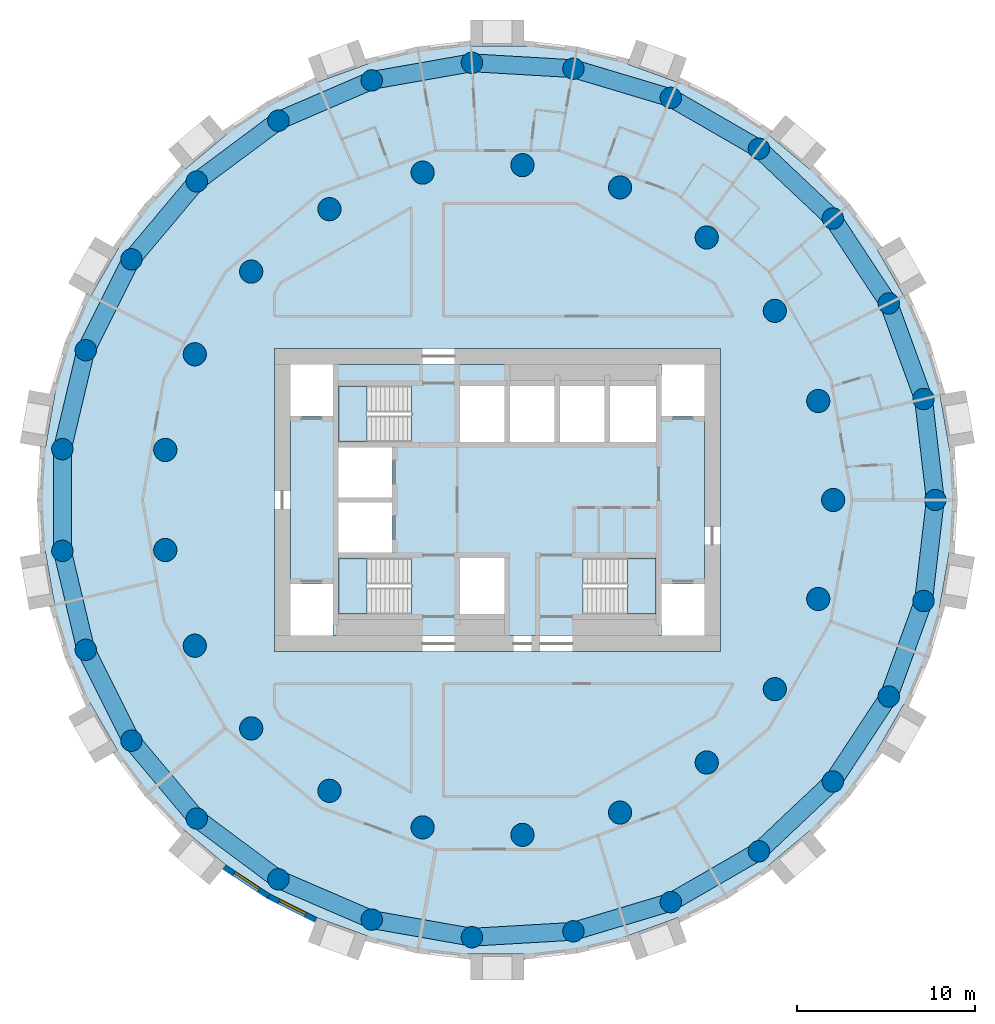
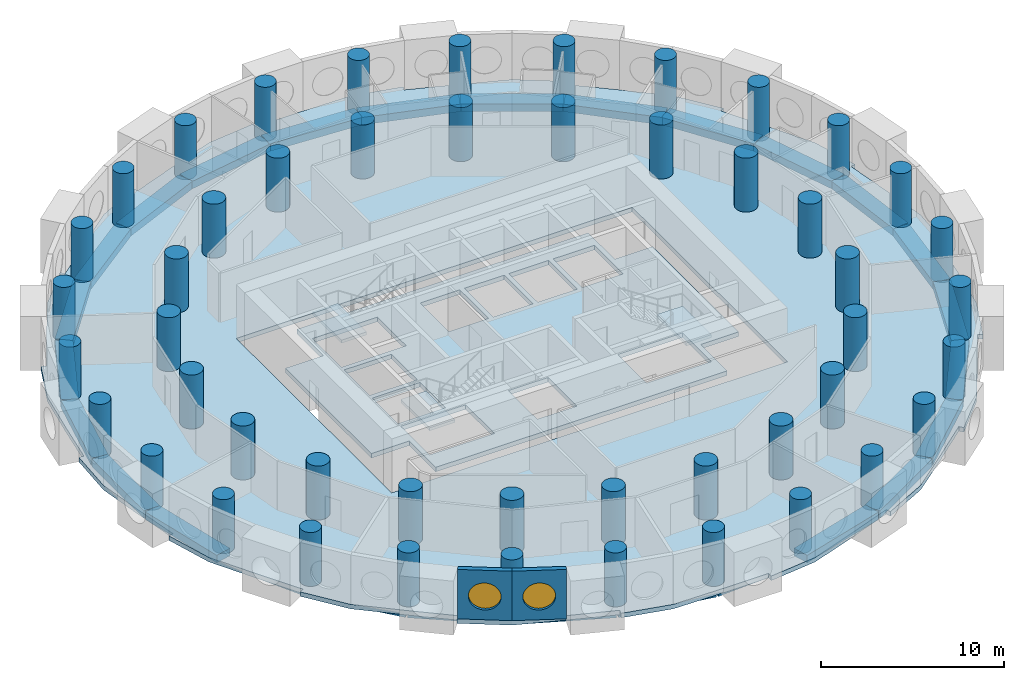
# One storey, part 1 of 9: 48 columns, 27 beams, 5 slabs, 2 walls, 2 windows, 2 openings, 3 elements without a shape of their own.
"""IFC4 building model written with IfcOpenShell, lengths in metres."""

import ifcopenshell
import ifcopenshell.guid

model = None  # the IFC model being written
_history = None  # IfcOwnerHistory: only IFC2X3 demands one
_inside = {}  # id of a spatial element -> (the spatial element, [elements in it])
_under = {}  # id of a project, library or spatial element -> (it, [spatial elements below it])
_declared = {}  # id of a project -> (the project, [libraries it declares])
_typed = {}  # id of a type object -> (the type object, [elements of that type])
_made_of = {}  # id of a material, layer set ... -> (it, [elements and type objects made of it])


def new_model(schema):
    """Start an empty IFC model of exactly this schema.

    Asked for "IFC4X3", IfcOpenShell would pick the latest addendum, in which some entities
    have other attributes; the version numbers below select the first issue.
    IFC2X3 requires an IfcOwnerHistory on every rooted entity: one is made here for all.
    """
    global model, _history
    if schema == "IFC4X3":
        model = ifcopenshell.file(schema_version=(4, 3, 0, 0))
    else:
        model = ifcopenshell.file(schema=schema)
    _inside.clear()
    _under.clear()
    _declared.clear()
    _typed.clear()
    _made_of.clear()
    _history = None
    if model.schema == "IFC2X3":
        org = make("IfcOrganization", Name="unknown")
        user = make(
            "IfcPersonAndOrganization",
            ThePerson=make("IfcPerson", FamilyName="unknown"),
            TheOrganization=org,
        )
        app = make(
            "IfcApplication",
            ApplicationDeveloper=org,
            Version="unknown",
            ApplicationFullName="unknown",
            ApplicationIdentifier="unknown",
        )
        _history = make(
            "IfcOwnerHistory",
            OwningUser=user,
            OwningApplication=app,
            ChangeAction="ADDED",
            CreationDate=0,
        )
    return model


def make(cls, **values):
    """One entity of the class cls with the attributes given. An attribute that is None is left unset."""
    return model.create_entity(
        cls, **{name: value for name, value in values.items() if value is not None}
    )


def rooted(cls, **values):
    """An entity with a GlobalId (a new one), such as an element, a storey or a relation."""
    return make(cls, GlobalId=ifcopenshell.guid.new(), OwnerHistory=_history, **values)


def si_unit(unit_type, name, prefix=None):
    """IfcSIUnit, for example si_unit("LENGTHUNIT", "METRE", prefix="MILLI")."""
    return make("IfcSIUnit", UnitType=unit_type, Prefix=prefix, Name=name)


def assignment(units):
    """IfcUnitAssignment: the units of a project."""
    return None if units is None else make("IfcUnitAssignment", Units=units)


def point(xyz):
    """IfcCartesianPoint."""
    return None if xyz is None else make("IfcCartesianPoint", Coordinates=xyz)


def direction(xyz):
    """IfcDirection."""
    return None if xyz is None else make("IfcDirection", DirectionRatios=xyz)


def frame(location, z_axis=None, x_axis=None):
    """IfcAxis2Placement3D, a coordinate frame: its origin and axes. An axis left out is left unset."""
    return make(
        "IfcAxis2Placement3D",
        Location=point(location),
        Axis=direction(z_axis),
        RefDirection=direction(x_axis),
    )


def frame_2d(location, x_axis=None):
    """IfcAxis2Placement2D, a coordinate frame in the plane: its origin and x axis."""
    return make(
        "IfcAxis2Placement2D", Location=point(location), RefDirection=direction(x_axis)
    )


def origin():
    """The frame at (0, 0, 0) with its axes left unset."""
    return frame((0.0, 0.0, 0.0))


def origin_2d():
    """The frame at (0, 0) in the plane with its x axis left unset."""
    return frame_2d((0.0, 0.0))


def place(relative_to, where):
    """IfcLocalPlacement: puts the frame where relative to a parent placement (None: the world)."""
    return make(
        "IfcLocalPlacement", PlacementRelTo=relative_to, RelativePlacement=where
    )


def context(
    kind, dimensions, precision=None, world=None, true_north=None, identifier=None
):
    """IfcGeometricRepresentationContext, for example the 3D "Model" context."""
    return make(
        "IfcGeometricRepresentationContext",
        ContextIdentifier=identifier,
        ContextType=kind,
        CoordinateSpaceDimension=dimensions,
        Precision=precision,
        WorldCoordinateSystem=world,
        TrueNorth=true_north,
    )


def subcontext(parent, identifier, kind, view, scale=None):
    """IfcGeometricRepresentationSubContext, for example "Body" below "Model"."""
    return make(
        "IfcGeometricRepresentationSubContext",
        ContextIdentifier=identifier,
        ContextType=kind,
        ParentContext=parent,
        TargetScale=scale,
        TargetView=view,
    )


def project(units=None, contexts=None):
    """IfcProject with its units and contexts."""
    return rooted(
        "IfcProject",
        Name="project",
        RepresentationContexts=contexts,
        UnitsInContext=assignment(units),
    )


def spatial(cls, under=None, at=None, **own):
    """A site, building, storey or space (cls), placed at a placement, below another one or the project."""
    s = rooted(cls, ObjectPlacement=at, **own)
    if under is not None:
        _under.setdefault(under.id(), (under, []))[1].append(s)
    return s


def polyline(points):
    """IfcPolyline through the points."""
    return make("IfcPolyline", Points=[point(p) for p in points])


def profile(cls, at=None, kind="AREA", **sizes):
    """A parametric profile (cls). Its sizes go by their IFC names, for example OverallWidth=200.0."""
    return make(cls, ProfileType=kind, Position=at, **sizes)


def rectangle(**sizes):
    """IfcRectangleProfileDef."""
    return profile("IfcRectangleProfileDef", **sizes)


def circle(**sizes):
    """IfcCircleProfileDef."""
    return profile("IfcCircleProfileDef", **sizes)


def outline(outer, holes=None, kind="AREA"):
    """IfcArbitraryClosedProfileDef: a profile drawn as a closed curve; with holes, ...WithVoids."""
    if holes is None:
        return make("IfcArbitraryClosedProfileDef", ProfileType=kind, OuterCurve=outer)
    return make(
        "IfcArbitraryProfileDefWithVoids",
        ProfileType=kind,
        OuterCurve=outer,
        InnerCurves=holes,
    )


def extrude(swept, where, along, depth):
    """IfcExtrudedAreaSolid: the profile swept, set in the frame where, extruded along a direction by depth."""
    return make(
        "IfcExtrudedAreaSolid",
        SweptArea=swept,
        Position=where,
        ExtrudedDirection=direction(along),
        Depth=depth,
    )


def shape(context_of_items, identifier, shape_type, items):
    """IfcShapeRepresentation: the items that make up one representation, for example the "Body"."""
    return make(
        "IfcShapeRepresentation",
        ContextOfItems=context_of_items,
        RepresentationIdentifier=identifier,
        RepresentationType=shape_type,
        Items=items,
    )


def material(Name=None, Category=None):
    """IfcMaterial."""
    return make("IfcMaterial", Name=Name, Category=Category)


def layer(
    of_material, thickness, ventilated=None, Name=None, Category=None, Priority=None
):
    """IfcMaterialLayer: one layer of a wall or slab, of a material (None: an air gap)."""
    return make(
        "IfcMaterialLayer",
        Material=of_material,
        LayerThickness=thickness,
        IsVentilated=ventilated,
        Name=Name,
        Category=Category,
        Priority=Priority,
    )


def layer_set(layers, Name=None):
    """IfcMaterialLayerSet."""
    return make("IfcMaterialLayerSet", MaterialLayers=layers, LayerSetName=Name)


def material_profile(
    of_material, cross_section, Name=None, Category=None, Priority=None
):
    """IfcMaterialProfile: a cross section and its material."""
    return make(
        "IfcMaterialProfile",
        Name=Name,
        Material=of_material,
        Profile=cross_section,
        Priority=Priority,
        Category=Category,
    )


def profile_set(profiles, Name=None, composite=None):
    """IfcMaterialProfileSet."""
    return make(
        "IfcMaterialProfileSet",
        Name=Name,
        MaterialProfiles=profiles,
        CompositeProfile=composite,
    )


def made_of(thing, what):
    """Note that an element or type object is made of a material, layer set ...; save() writes the relation."""
    if what is not None:
        _made_of.setdefault(what.id(), (what, []))[1].append(thing)
    return thing


def type_object(cls, material=None, **own):
    """A type object (cls), such as IfcWallType, which elements share."""
    return made_of(rooted(cls, **own), material)


def element(
    cls,
    number,
    at=None,
    inside=None,
    cuts=None,
    type_object=None,
    material=None,
    context=None,
    identifier="Body",
    shape_type=None,
    held_by="IfcProductDefinitionShape",
    body=None,
    shapes=None,
    **own,
):
    """One element of the class cls, such as IfcWall. Its Tag is "e" and its number.

    at: its placement. inside: the storey or other place that contains it. cuts: it is an
    opening in that element (IfcRelVoidsElement). A single representation is given by context,
    identifier, shape_type and body (its items); several are given by shapes. held_by: the class
    of the entity that holds the representations. save() writes the other relations.
    """
    e = rooted(cls, Tag="e%d" % number, ObjectPlacement=at, **own)
    if body is not None:
        shapes = [shape(context, identifier, shape_type, body)]
    if shapes is not None:
        e.Representation = make(held_by, Representations=shapes)
    if inside is not None:
        _inside.setdefault(inside.id(), (inside, []))[1].append(e)
    if cuts is not None:
        rooted(
            "IfcRelVoidsElement", RelatingBuildingElement=cuts, RelatedOpeningElement=e
        )
    if type_object is not None:
        _typed.setdefault(type_object.id(), (type_object, []))[1].append(e)
    return made_of(e, material)


def fill(opening, filler):
    """IfcRelFillsElement: the door or window that sits in an opening."""
    return rooted(
        "IfcRelFillsElement",
        RelatingOpeningElement=opening,
        RelatedBuildingElement=filler,
    )


def aggregate(whole, parts):
    """IfcRelAggregates: a whole, such as a stair, and the parts it consists of."""
    return rooted("IfcRelAggregates", RelatingObject=whole, RelatedObjects=parts)


def save(model, path):
    """Write the relations noted so far, then the file.

    IfcRelAggregates (storeys below a building ...), IfcRelContainedInSpatialStructure (elements
    in a storey), IfcRelDefinesByType, IfcRelAssociatesMaterial and IfcRelDeclares: one each for
    every whole, place, type object, material and project.
    """
    for whole, parts in _under.values():
        aggregate(whole, parts)
    for where, things in _inside.values():
        rooted(
            "IfcRelContainedInSpatialStructure",
            RelatedElements=things,
            RelatingStructure=where,
        )
    for kind, things in _typed.values():
        rooted("IfcRelDefinesByType", RelatedObjects=things, RelatingType=kind)
    for what, things in _made_of.values():
        rooted("IfcRelAssociatesMaterial", RelatedObjects=things, RelatingMaterial=what)
    for by, libraries in _declared.values():
        rooted("IfcRelDeclares", RelatingContext=by, RelatedDefinitions=libraries)
    model.write(path)


model = new_model("IFC4")

# Units and contexts
model_context = context("Model", 3, precision=1e-05, world=origin(), true_north=direction((0.0, 1.0)))
body_context = subcontext(model_context, "Body", "Model", "MODEL_VIEW")
ifc_project = project(units=[si_unit("LENGTHUNIT", "METRE"), si_unit("AREAUNIT", "SQUARE_METRE"), si_unit("VOLUMEUNIT", "CUBIC_METRE"), si_unit("PLANEANGLEUNIT", "RADIAN"), si_unit("MASSUNIT", "GRAM", prefix="KILO")], contexts=[model_context])

# Site, building, storey
site_placement = place(None, origin())
site = spatial("IfcSite", under=ifc_project, at=site_placement, CompositionType="ELEMENT")
building_placement = place(site_placement, origin())
building = spatial("IfcBuilding", under=site, at=building_placement, Name="Tracery Tower", CompositionType="ELEMENT")
storey_placement = place(building_placement, frame((0.0, 0.0, 162.0)))
storey = spatial("IfcBuildingStorey", under=building, at=storey_placement, Name="L41", CompositionType="ELEMENT", Elevation=162.0)

# Columns
ifc_material_1 = material(Name="Concrete C50/60", Category="concrete")
ifc_material_profile_1 = material_profile(ifc_material_1, circle(Radius=0.60009765625, at=origin_2d()), Name="RC D1200")
ifc_profile_set_1 = profile_set([ifc_material_profile_1], Name="Concrete C50/60")
column_type_1 = type_object("IfcColumnType", Name="Ring 1 column 1200", PredefinedType="COLUMN", material=ifc_profile_set_1)
for number, where, z_axis, x_axis, name in (
    (1, (24.547607421875, 0.0, 0.0), (0.0, 0.0, 1.0), (1.0, 0.0, 0.0), "Ring 1 column 00 at L41"),
    (2, (23.885986328125, 5.6611328125, 0.0), (0.0, 0.0, 1.0), (1.0, 0.0, 0.0), "Ring 1 column 01 at L41"),
    (3, (21.9365234375, 11.01708984375, 0.0), (0.0, 0.0, 1.0), (1.0, 0.0, 0.0), "Ring 1 column 02 at L41"),
    (4, (18.8046875, 15.779052734375, 0.0), (0.0, 0.0, 1.0), (1.0, 0.0, 0.0), "Ring 1 column 03 at L41"),
    (5, (14.658935546875, 19.690185546875, 0.0), (0.0, 0.0, 1.0), (1.0, 0.0, 0.0), "Ring 1 column 04 at L41"),
    (6, (9.722900390625, 22.5400390625, 0.0), (0.0, 0.0, 1.0), (1.0, 0.0, 0.0), "Ring 1 column 05 at L41"),
    (7, (4.2626953125, 24.1748046875, 0.0), (0.0, 0.0, 1.0), (1.0, 0.0, 0.0), "Ring 1 column 06 at L41"),
    (8, (-1.42724609375, 24.506103515625, 0.0), (0.0, 0.0, 1.0), (1.0, 0.0, 0.0), "Ring 1 column 07 at L41"),
    (9, (-7.040283203125, 23.516357421875, 0.0), (0.0, 0.0, 1.0), (1.0, 0.0, 0.0), "Ring 1 column 08 at L41"),
    (10, (-12.273681640625, 21.2587890625, 0.0), (0.0, 0.0, 1.0), (1.0, 0.0, 0.0), "Ring 1 column 09 at L41"),
    (11, (-16.845703125, 17.855224609375, 0.0), (0.0, 0.0, 1.0), (1.0, 0.0, 0.0), "Ring 1 column 10 at L41"),
    (12, (-20.50927734375, 13.4892578125, 0.0), (0.0, 0.0, 1.0), (1.0, 0.0, 0.0), "Ring 1 column 11 at L41"),
    (13, (-23.0673828125, 8.395751953125, 0.0), (0.0, 0.0, 1.0), (1.0, 0.0, 0.0), "Ring 1 column 12 at L41"),
    (14, (-24.381591796875, 2.849853515625, 0.0), (0.0, 0.0, 1.0), (1.0, 0.0, 0.0), "Ring 1 column 13 at L41"),
    (15, (-24.381591796875, -2.849853515625, 0.0), (0.0, 0.0, 1.0), (1.0, 0.0, 0.0), "Ring 1 column 14 at L41"),
    (16, (-23.0673828125, -8.395751953125, 0.0), (0.0, 0.0, 1.0), (1.0, 0.0, 0.0), "Ring 1 column 15 at L41"),
    (17, (-20.50927734375, -13.4892578125, 0.0), (0.0, 0.0, 1.0), (1.0, 0.0, 0.0), "Ring 1 column 16 at L41"),
    (18, (-16.845703125, -17.85546875, 0.0), (0.0, 0.0, 1.0), (1.0, 0.0, 0.0), "Ring 1 column 17 at L41"),
    (19, (-12.27392578125, -21.2587890625, 0.0), (0.0, 0.0, 1.0), (1.0, 0.0, 0.0), "Ring 1 column 18 at L41"),
    (20, (-7.040283203125, -23.516357421875, 0.0), (0.0, 0.0, 1.0), (1.0, 0.0, 0.0), "Ring 1 column 19 at L41"),
    (21, (-1.42724609375, -24.506103515625, 0.0), (0.0, 0.0, 1.0), (1.0, 0.0, 0.0), "Ring 1 column 20 at L41"),
    (22, (4.2626953125, -24.1748046875, 0.0), (0.0, 0.0, 1.0), (1.0, 0.0, 0.0), "Ring 1 column 21 at L41"),
    (23, (9.722900390625, -22.5400390625, 0.0), (0.0, 0.0, 1.0), (1.0, 0.0, 0.0), "Ring 1 column 22 at L41"),
    (24, (14.658935546875, -19.690185546875, 0.0), (0.0, 0.0, 1.0), (1.0, 0.0, 0.0), "Ring 1 column 23 at L41"),
    (25, (18.8046875, -15.779052734375, 0.0), (0.0, 0.0, 1.0), (1.0, 0.0, 0.0), "Ring 1 column 24 at L41"),
    (26, (21.9365234375, -11.01708984375, 0.0), (0.0, 0.0, 1.0), (1.0, 0.0, 0.0), "Ring 1 column 25 at L41"),
    (27, (23.885986328125, -5.6611328125, 0.0), (0.0, 0.0, 1.0), (1.0, 0.0, 0.0), "Ring 1 column 26 at L41"),
):
    element("IfcColumn", number, at=place(storey_placement, frame(where, z_axis=z_axis, x_axis=x_axis)), inside=storey, type_object=column_type_1, Name=name, PredefinedType="COLUMN", context=body_context, shape_type="SweptSolid", body=[
        extrude(circle(Radius=0.60009765625, at=origin_2d()), origin(), (0.0, 0.0, 1.0), 3.60009765625),
    ])
ifc_material_2 = material(Name="Concrete C50/60", Category="concrete")
ifc_material_profile_2 = material_profile(ifc_material_2, circle(Radius=0.64990234375, at=origin_2d()), Name="RC D1300")
ifc_profile_set_2 = profile_set([ifc_material_profile_2], Name="Concrete C50/60")
column_type_2 = type_object("IfcColumnType", Name="Ring 2 column 1300", PredefinedType="COLUMN", material=ifc_profile_set_2)
for number, where, z_axis, x_axis, name in (
    (28, (18.822265625, 0.0, 0.0), (0.0, 0.0, 1.0), (1.0, 0.0, 0.0), "Ring 2 column 00 at L41"),
    (29, (17.986083984375, 5.5478515625, 0.0), (0.0, 0.0, 1.0), (1.0, 0.0, 0.0), "Ring 2 column 01 at L41"),
    (30, (15.551513671875, 10.602783203125, 0.0), (0.0, 0.0, 1.0), (1.0, 0.0, 0.0), "Ring 2 column 02 at L41"),
    (31, (11.7353515625, 14.7158203125, 0.0), (0.0, 0.0, 1.0), (1.0, 0.0, 0.0), "Ring 2 column 03 at L41"),
    (32, (6.87646484375, 17.52099609375, 0.0), (0.0, 0.0, 1.0), (1.0, 0.0, 0.0), "Ring 2 column 04 at L41"),
    (33, (1.406494140625, 18.76953125, 0.0), (0.0, 0.0, 1.0), (1.0, 0.0, 0.0), "Ring 2 column 05 at L41"),
    (34, (-4.188232421875, 18.350341796875, 0.0), (0.0, 0.0, 1.0), (1.0, 0.0, 0.0), "Ring 2 column 06 at L41"),
    (35, (-9.4111328125, 16.300537109375, 0.0), (0.0, 0.0, 1.0), (1.0, 0.0, 0.0), "Ring 2 column 07 at L41"),
    (36, (-13.797607421875, 12.802490234375, 0.0), (0.0, 0.0, 1.0), (1.0, 0.0, 0.0), "Ring 2 column 08 at L41"),
    (37, (-16.958251953125, 8.16650390625, 0.0), (0.0, 0.0, 1.0), (1.0, 0.0, 0.0), "Ring 2 column 09 at L41"),
    (38, (-18.612060546875, 2.805419921875, 0.0), (0.0, 0.0, 1.0), (1.0, 0.0, 0.0), "Ring 2 column 10 at L41"),
    (39, (-18.612060546875, -2.805419921875, 0.0), (0.0, 0.0, 1.0), (1.0, 0.0, 0.0), "Ring 2 column 11 at L41"),
    (40, (-16.958251953125, -8.166748046875, 0.0), (0.0, 0.0, 1.0), (1.0, 0.0, 0.0), "Ring 2 column 12 at L41"),
    (41, (-13.797607421875, -12.80224609375, 0.0), (0.0, 0.0, 1.0), (1.0, 0.0, 0.0), "Ring 2 column 13 at L41"),
    (42, (-9.4111328125, -16.300537109375, 0.0), (0.0, 0.0, 1.0), (1.0, 0.0, 0.0), "Ring 2 column 14 at L41"),
    (43, (-4.188232421875, -18.350341796875, 0.0), (0.0, 0.0, 1.0), (1.0, 0.0, 0.0), "Ring 2 column 15 at L41"),
    (44, (1.406494140625, -18.76953125, 0.0), (0.0, 0.0, 1.0), (1.0, 0.0, 0.0), "Ring 2 column 16 at L41"),
    (45, (6.87646484375, -17.52099609375, 0.0), (0.0, 0.0, 1.0), (1.0, 0.0, 0.0), "Ring 2 column 17 at L41"),
    (46, (11.7353515625, -14.7158203125, 0.0), (0.0, 0.0, 1.0), (1.0, 0.0, 0.0), "Ring 2 column 18 at L41"),
    (47, (15.551513671875, -10.602783203125, 0.0), (0.0, 0.0, 1.0), (1.0, 0.0, 0.0), "Ring 2 column 19 at L41"),
    (48, (17.986083984375, -5.5478515625, 0.0), (0.0, 0.0, 1.0), (1.0, 0.0, 0.0), "Ring 2 column 20 at L41"),
):
    element("IfcColumn", number, at=place(storey_placement, frame(where, z_axis=z_axis, x_axis=x_axis)), inside=storey, type_object=column_type_2, Name=name, PredefinedType="COLUMN", context=body_context, shape_type="SweptSolid", body=[
        extrude(circle(Radius=0.64990234375, at=origin_2d()), origin(), (0.0, 0.0, 1.0), 3.60009765625),
    ])

# Beams
ifc_material_3 = material(Name="Concrete C50/60", Category="concrete")
ifc_material_profile_3 = material_profile(ifc_material_3, rectangle(XDim=1.0, YDim=0.5, at=origin_2d()), Name="RC 1000x500")
ifc_profile_set_3 = profile_set([ifc_material_profile_3], Name="Concrete C50/60")
beam_type = type_object("IfcBeamType", Name="Perimeter band beam 1000x500", PredefinedType="BEAM", material=ifc_profile_set_3)
for number, where, z_axis, x_axis, name in (
    (49, (24.547607421875, 0.0, -0.550048828125), (-0.116080723252, 0.993239782575, 0.0), (-0.993239782575, -0.116080723252, 0.0), "Perimeter beam 1.00 under L41"),
    (50, (23.885986328125, 5.6611328125, -0.550048828125), (-0.342028502279, 0.939689578334, 0.0), (-0.939689578334, -0.342028502279, 0.0), "Perimeter beam 1.01 under L41"),
):
    element("IfcBeam", number, at=place(storey_placement, frame(where, z_axis=z_axis, x_axis=x_axis)), inside=storey, type_object=beam_type, Name=name, PredefinedType="BEAM", context=body_context, shape_type="SweptSolid", body=[
        extrude(rectangle(XDim=1.0, YDim=0.5, at=origin_2d()), origin(), (0.0, 0.0, 1.0), 5.69970703125),
    ])
for number, where, z_axis, x_axis, name in (
    (51, (21.9365234375, 11.01708984375, -0.550048828125), (-0.549489832182, 0.835500403548, 0.0), (-0.835500403548, -0.549489832182, 0.0), "Perimeter beam 1.02 under L41"),
    (52, (18.8046875, 15.779052734375, -0.550048828125), (-0.727389618263, 0.686224703172, 0.0), (-0.686224703172, -0.727389618263, 0.0), "Perimeter beam 1.03 under L41"),
):
    element("IfcBeam", number, at=place(storey_placement, frame(where, z_axis=z_axis, x_axis=x_axis)), inside=storey, type_object=beam_type, Name=name, PredefinedType="BEAM", context=body_context, shape_type="SweptSolid", body=[
        extrude(rectangle(XDim=1.0, YDim=0.5, at=origin_2d()), origin(), (0.0, 0.0, 1.0), 5.699462890625),
    ])
for number, where, z_axis, x_axis, name in (
    (53, (14.658935546875, 19.690185546875, -0.550048828125), (-0.866022950691, 0.500004248858, 0.0), (-0.500004248858, -0.866022950691, 0.0), "Perimeter beam 1.04 under L41"),
    (54, (9.722900390625, 22.5400390625, -0.550048828125), (-0.957985292634, 0.28681732705, 0.0), (-0.28681732705, -0.957985292634, 0.0), "Perimeter beam 1.05 under L41"),
):
    element("IfcBeam", number, at=place(storey_placement, frame(where, z_axis=z_axis, x_axis=x_axis)), inside=storey, type_object=beam_type, Name=name, PredefinedType="BEAM", context=body_context, shape_type="SweptSolid", body=[
        extrude(rectangle(XDim=1.0, YDim=0.5, at=origin_2d()), origin(), (0.0, 0.0, 1.0), 5.69970703125),
    ])
beam_1_placement = place(storey_placement, frame((4.2626953125, 24.1748046875, -0.550048828125), z_axis=(-0.99830920221, 0.058126902403, 0.0), x_axis=(-0.058126902403, -0.99830920221, 0.0)))
element("IfcBeam", 55, at=beam_1_placement, inside=storey, type_object=beam_type, Name="Perimeter beam 1.06 under L41", PredefinedType="BEAM", context=body_context, shape_type="SweptSolid", body=[
    extrude(rectangle(XDim=1.0, YDim=0.5, at=origin_2d()), origin(), (0.0, 0.0, 1.0), 5.699462890625),
])
beam_2_placement = place(storey_placement, frame((-1.42724609375, 24.506103515625, -0.550048828125), z_axis=(-0.984807266719, -0.173650935552, 0.0), x_axis=(0.173650935552, -0.984807266719, 0.0)))
element("IfcBeam", 56, at=beam_2_placement, inside=storey, type_object=beam_type, Name="Perimeter beam 1.07 under L41", PredefinedType="BEAM", context=body_context, shape_type="SweptSolid", body=[
    extrude(rectangle(XDim=1.0, YDim=0.5, at=origin_2d()), origin(), (0.0, 0.0, 1.0), 5.69970703125),
])
beam_3_placement = place(storey_placement, frame((-7.040283203125, 23.516357421875, -0.550048828125), z_axis=(-0.918209685525, -0.396094652083, 0.0), x_axis=(0.396094652083, -0.918209685525, 0.0)))
element("IfcBeam", 57, at=beam_3_placement, inside=storey, type_object=beam_type, Name="Perimeter beam 1.08 under L41", PredefinedType="BEAM", context=body_context, shape_type="SweptSolid", body=[
    extrude(rectangle(XDim=1.0, YDim=0.5, at=origin_2d()), origin(), (0.0, 0.0, 1.0), 5.699462890625),
])
beam_4_placement = place(storey_placement, frame((-12.273681640625, 21.2587890625, -0.550048828125), z_axis=(-0.802138271299, -0.59713833717, 0.0), x_axis=(0.59713833717, -0.802138271299, 0.0)))
element("IfcBeam", 58, at=beam_4_placement, inside=storey, type_object=beam_type, Name="Perimeter beam 1.09 under L41", PredefinedType="BEAM", context=body_context, shape_type="SweptSolid", body=[
    extrude(rectangle(XDim=1.0, YDim=0.5, at=origin_2d()), origin(), (0.0, 0.0, 1.0), 5.69970703125),
])
beam_5_placement = place(storey_placement, frame((-16.845703125, 17.855224609375, -0.550048828125), z_axis=(-0.642797194343, -0.766036400535, 0.0), x_axis=(0.766036400535, -0.642797194343, 0.0)))
element("IfcBeam", 59, at=beam_5_placement, inside=storey, type_object=beam_type, Name="Perimeter beam 1.10 under L41", PredefinedType="BEAM", context=body_context, shape_type="SweptSolid", body=[
    extrude(rectangle(XDim=1.0, YDim=0.5, at=origin_2d()), origin(), (0.0, 0.0, 1.0), 5.699462890625),
])
beam_6_placement = place(storey_placement, frame((-20.50927734375, 13.4892578125, -0.550048828125), z_axis=(-0.448806280933, -0.893629074166, 0.0), x_axis=(0.893629074166, -0.448806280933, 0.0)))
element("IfcBeam", 60, at=beam_6_placement, inside=storey, type_object=beam_type, Name="Perimeter beam 1.11 under L41", PredefinedType="BEAM", context=body_context, shape_type="SweptSolid", body=[
    extrude(rectangle(XDim=1.0, YDim=0.5, at=origin_2d()), origin(), (0.0, 0.0, 1.0), 5.69970703125),
])
beam_7_placement = place(storey_placement, frame((-23.0673828125, 8.395751953125, -0.550048828125), z_axis=(-0.230583793756, -0.973052472407, 0.0), x_axis=(0.973052472407, -0.230583793756, 0.0)))
element("IfcBeam", 61, at=beam_7_placement, inside=storey, type_object=beam_type, Name="Perimeter beam 1.12 under L41", PredefinedType="BEAM", context=body_context, shape_type="SweptSolid", body=[
    extrude(rectangle(XDim=1.0, YDim=0.5, at=origin_2d()), origin(), (0.0, 0.0, 1.0), 5.699462890625),
])
beam_8_placement = place(storey_placement, frame((-24.381591796875, 2.849853515625, -0.550048828125), z_axis=(0.0, -1.0, 0.0), x_axis=(1.0, 0.0, 0.0)))
element("IfcBeam", 62, at=beam_8_placement, inside=storey, type_object=beam_type, Name="Perimeter beam 1.13 under L41", PredefinedType="BEAM", context=body_context, shape_type="SweptSolid", body=[
    extrude(rectangle(XDim=1.0, YDim=0.5, at=origin_2d()), origin(), (0.0, 0.0, 1.0), 5.69970703125),
])
beam_9_placement = place(storey_placement, frame((-24.381591796875, -2.849853515625, -0.550048828125), z_axis=(0.230583793756, -0.973052472407, 0.0), x_axis=(0.973052472407, 0.230583793756, 0.0)))
element("IfcBeam", 63, at=beam_9_placement, inside=storey, type_object=beam_type, Name="Perimeter beam 1.14 under L41", PredefinedType="BEAM", context=body_context, shape_type="SweptSolid", body=[
    extrude(rectangle(XDim=1.0, YDim=0.5, at=origin_2d()), origin(), (0.0, 0.0, 1.0), 5.699462890625),
])
for number, where, z_axis, x_axis, name in (
    (64, (-23.0673828125, -8.395751953125, -0.550048828125), (0.448806280933, -0.893629074166, 0.0), (0.893629074166, 0.448806280933, 0.0), "Perimeter beam 1.15 under L41"),
    (65, (-20.50927734375, -13.4892578125, -0.550048828125), (0.64277610208, -0.766054099, 0.0), (0.766054099, 0.64277610208, 0.0), "Perimeter beam 1.16 under L41"),
):
    element("IfcBeam", number, at=place(storey_placement, frame(where, z_axis=z_axis, x_axis=x_axis)), inside=storey, type_object=beam_type, Name=name, PredefinedType="BEAM", context=body_context, shape_type="SweptSolid", body=[
        extrude(rectangle(XDim=1.0, YDim=0.5, at=origin_2d()), origin(), (0.0, 0.0, 1.0), 5.69970703125),
    ])
beam_10_placement = place(storey_placement, frame((-16.845703125, -17.85546875, -0.550048828125), z_axis=(0.802143514942, -0.597131293298, 0.0), x_axis=(0.597131293298, 0.802143514942, 0.0)))
element("IfcBeam", 66, at=beam_10_placement, inside=storey, type_object=beam_type, Name="Perimeter beam 1.17 under L41", PredefinedType="BEAM", context=body_context, shape_type="SweptSolid", body=[
    extrude(rectangle(XDim=1.0, YDim=0.5, at=origin_2d()), origin(), (0.0, 0.0, 1.0), 5.699462890625),
])
for number, where, z_axis, x_axis, name in (
    (67, (-12.27392578125, -21.2587890625, -0.550048828125), (0.918216405543, -0.39607907366, 0.0), (0.39607907366, 0.918216405543, 0.0), "Perimeter beam 1.18 under L41"),
    (68, (-7.040283203125, -23.516357421875, -0.550048828125), (0.984807266719, -0.173650935552, 0.0), (0.173650935552, 0.984807266719, 0.0), "Perimeter beam 1.19 under L41"),
):
    element("IfcBeam", number, at=place(storey_placement, frame(where, z_axis=z_axis, x_axis=x_axis)), inside=storey, type_object=beam_type, Name=name, PredefinedType="BEAM", context=body_context, shape_type="SweptSolid", body=[
        extrude(rectangle(XDim=1.0, YDim=0.5, at=origin_2d()), origin(), (0.0, 0.0, 1.0), 5.69970703125),
    ])
beam_11_placement = place(storey_placement, frame((-1.42724609375, -24.506103515625, -0.550048828125), z_axis=(0.99830920221, 0.058126902403, 0.0), x_axis=(-0.058126902403, 0.99830920221, 0.0)))
element("IfcBeam", 69, at=beam_11_placement, inside=storey, type_object=beam_type, Name="Perimeter beam 1.20 under L41", PredefinedType="BEAM", context=body_context, shape_type="SweptSolid", body=[
    extrude(rectangle(XDim=1.0, YDim=0.5, at=origin_2d()), origin(), (0.0, 0.0, 1.0), 5.699462890625),
])
for number, where, z_axis, x_axis, name in (
    (70, (4.2626953125, -24.1748046875, -0.550048828125), (0.957985292634, 0.28681732705, 0.0), (-0.28681732705, 0.957985292634, 0.0), "Perimeter beam 1.21 under L41"),
    (71, (9.722900390625, -22.5400390625, -0.550048828125), (0.866022950691, 0.500004248858, 0.0), (-0.500004248858, 0.866022950691, 0.0), "Perimeter beam 1.22 under L41"),
):
    element("IfcBeam", number, at=place(storey_placement, frame(where, z_axis=z_axis, x_axis=x_axis)), inside=storey, type_object=beam_type, Name=name, PredefinedType="BEAM", context=body_context, shape_type="SweptSolid", body=[
        extrude(rectangle(XDim=1.0, YDim=0.5, at=origin_2d()), origin(), (0.0, 0.0, 1.0), 5.69970703125),
    ])
for number, where, z_axis, x_axis, name in (
    (72, (14.658935546875, -19.690185546875, -0.550048828125), (0.727389618263, 0.686224703172, 0.0), (-0.686224703172, 0.727389618263, 0.0), "Perimeter beam 1.23 under L41"),
    (73, (18.8046875, -15.779052734375, -0.550048828125), (0.549489832182, 0.835500403548, 0.0), (-0.835500403548, 0.549489832182, 0.0), "Perimeter beam 1.24 under L41"),
):
    element("IfcBeam", number, at=place(storey_placement, frame(where, z_axis=z_axis, x_axis=x_axis)), inside=storey, type_object=beam_type, Name=name, PredefinedType="BEAM", context=body_context, shape_type="SweptSolid", body=[
        extrude(rectangle(XDim=1.0, YDim=0.5, at=origin_2d()), origin(), (0.0, 0.0, 1.0), 5.699462890625),
    ])
for number, where, z_axis, x_axis, name in (
    (74, (21.9365234375, -11.01708984375, -0.550048828125), (0.342028502279, 0.939689578334, 0.0), (-0.939689578334, 0.342028502279, 0.0), "Perimeter beam 1.25 under L41"),
    (75, (23.885986328125, -5.6611328125, -0.550048828125), (0.116080723252, 0.993239782575, 0.0), (-0.993239782575, 0.116080723252, 0.0), "Perimeter beam 1.26 under L41"),
):
    element("IfcBeam", number, at=place(storey_placement, frame(where, z_axis=z_axis, x_axis=x_axis)), inside=storey, type_object=beam_type, Name=name, PredefinedType="BEAM", context=body_context, shape_type="SweptSolid", body=[
        extrude(rectangle(XDim=1.0, YDim=0.5, at=origin_2d()), origin(), (0.0, 0.0, 1.0), 5.69970703125),
    ])

# Slabs
ifc_material_4 = material(Name="Concrete C50/60", Category="concrete")
ifc_layer_1 = layer(ifc_material_4, 0.300048828125)
ifc_layer_set_1 = layer_set([ifc_layer_1], Name="Core floor slab 300 C50")
slab_type_1 = type_object("IfcSlabType", Name="Core floor slab 300 C50", PredefinedType="FLOOR", material=ifc_layer_set_1)
slab_1_placement = place(storey_placement, frame((0.0, 0.0, -0.300048828125)))
element("IfcSlab", 76, at=slab_1_placement, inside=storey, type_object=slab_type_1, Name="L41 core floor 1", PredefinedType="FLOOR", context=body_context, shape_type="SweptSolid", body=[
    extrude(outline(polyline([(-9.199951171875, 7.60009765625), (9.199951171875, 7.60009765625), (9.199951171875, 4.699951171875), (11.60009765625, 4.699951171875), (11.60009765625, -4.699951171875), (9.199951171875, -4.699951171875), (9.199951171875, -7.60009765625), (-9.199951171875, -7.60009765625), (-9.199951171875, -4.699951171875), (-11.60009765625, -4.699951171875), (-11.60009765625, 4.699951171875), (-9.199951171875, 4.699951171875), (-9.199951171875, 7.60009765625)]), holes=[polyline([(4.800537109375, -6.39990234375), (8.89990234375, -6.39990234375), (8.89990234375, -3.25), (4.800537109375, -3.25), (4.800537109375, -6.39990234375)]), polyline([(8.89990234375, 3.25), (8.89990234375, 6.39990234375), (6.300048828125, 6.39990234375), (6.300048828125, 3.25), (8.89990234375, 3.25)]), polyline([(6.0, 3.25), (6.0, 6.39990234375), (3.5, 6.39990234375), (3.5, 3.25), (6.0, 3.25)]), polyline([(3.199951171875, 3.25), (3.199951171875, 6.39990234375), (0.699951171875, 6.39990234375), (0.699951171875, 3.25), (3.199951171875, 3.25)]), polyline([(-2.10009765625, 3.25), (0.39990234375, 3.25), (0.39990234375, 6.39990234375), (-2.10009765625, 6.39990234375), (-2.10009765625, 3.25)]), polyline([(0.39990234375, -6.39990234375), (0.39990234375, -3.25), (-2.10009765625, -3.25), (-2.10009765625, -6.39990234375), (0.39990234375, -6.39990234375)]), polyline([(-4.800537109375, -3.25), (-8.89990234375, -3.25), (-8.89990234375, -6.39990234375), (-4.800537109375, -6.39990234375), (-4.800537109375, -3.25)]), polyline([(-4.800537109375, 6.39990234375), (-8.89990234375, 6.39990234375), (-8.89990234375, 3.25), (-4.800537109375, 3.25), (-4.800537109375, 6.39990234375)]), polyline([(-5.89990234375, -2.949951171875), (-5.89990234375, -0.14990234375), (-8.89990234375, -0.14990234375), (-8.89990234375, -2.949951171875), (-5.89990234375, -2.949951171875)]), polyline([(-5.89990234375, 0.14990234375), (-5.89990234375, 2.949951171875), (-8.89990234375, 2.949951171875), (-8.89990234375, 0.14990234375), (-5.89990234375, 0.14990234375)])]), origin(), (0.0, 0.0, 1.0), 0.300048828125),
])
ifc_material_5 = material(Name="Concrete C40/50", Category="concrete")
ifc_layer_2 = layer(ifc_material_5, 0.300048828125)
ifc_layer_set_2 = layer_set([ifc_layer_2], Name="Floor slab 300")
slab_type_2 = type_object("IfcSlabType", Name="Floor slab 300", PredefinedType="FLOOR", material=ifc_layer_set_2)
slab_2_placement = place(storey_placement, frame((0.0, 0.0, -0.300048828125)))
element("IfcSlab", 77, at=slab_2_placement, inside=storey, type_object=slab_type_2, Name="Floor slab L41", PredefinedType="FLOOR", context=body_context, shape_type="SweptSolid", body=[
    extrude(outline(polyline([(25.32470703125, 2.959716796875), (25.07568359375, 4.373291015625), (24.809814453125, 5.880126953125), (24.809814453125, 5.880126953125), (24.806884765625, 5.897216796875), (25.1015625, 5.94921875), (25.102294921875, 5.949462890625), (24.241943359375, 8.8232421875), (22.78515625, 11.443115234375), (21.302490234375, 14.010986328125), (21.302490234375, 14.010986328125), (21.2939453125, 14.026123046875), (21.5537109375, 14.176025390625), (21.5537109375, 14.176025390625), (19.76220703125, 16.58251953125), (17.497314453125, 18.5458984375), (16.89501953125, 19.051513671875), (15.21240234375, 20.463134765625), (15.4052734375, 20.69287109375), (12.89892578125, 22.341552734375), (10.098876953125, 23.411865234375), (7.312744140625, 24.426025390625), (7.312744140625, 24.426025390625), (7.29638671875, 24.431884765625), (7.39892578125, 24.7138671875), (4.479736328125, 25.40576171875), (1.4853515625, 25.4541015625), (-1.5, 25.4541015625), (-1.5, 25.754150390625), (-4.479736328125, 25.40576171875), (-7.312744140625, 24.426025390625), (-10.098876953125, 23.411865234375), (-10.098876953125, 23.411865234375), (-10.115234375, 23.406005859375), (-10.218017578125, 23.68798828125), (-12.898681640625, 22.341552734375), (-15.224609375, 20.453125), (-16.89501953125, 19.051513671875), (-17.497314453125, 18.5458984375), (-17.497314453125, 18.5458984375), (-17.510498046875, 18.534912109375), (-17.703369140625, 18.764404296875), (-17.70361328125, 18.7646484375), (-19.76220703125, 16.58251953125), (-21.302490234375, 14.010986328125), (-22.78515625, 11.443115234375), (-22.78515625, 11.443115234375), (-22.7939453125, 11.427978515625), (-23.0537109375, 11.577880859375), (-23.0537109375, 11.577880859375), (-24.241943359375, 8.8232421875), (-24.809814453125, 5.880126953125), (-25.07568359375, 4.373291015625), (-25.327880859375, 2.94287109375), (-25.622802734375, 2.994873046875), (-25.623291015625, 2.994873046875), (-25.797607421875, 0.0), (-25.32470703125, -2.959716796875), (-25.07568359375, -4.373291015625), (-24.809814453125, -5.880126953125), (-24.809814453125, -5.880126953125), (-24.806884765625, -5.897216796875), (-25.1015625, -5.94921875), (-25.102294921875, -5.949462890625), (-24.241943359375, -8.8232421875), (-22.78515625, -11.443115234375), (-21.302490234375, -14.010986328125), (-21.302490234375, -14.010986328125), (-21.2939453125, -14.026123046875), (-21.5537109375, -14.176025390625), (-21.5537109375, -14.176025390625), (-19.76220703125, -16.58251953125), (-17.497314453125, -18.5458984375), (-16.89501953125, -19.051513671875), (-15.21240234375, -20.463134765625), (-15.4052734375, -20.69287109375), (-12.89892578125, -22.341552734375), (-10.098876953125, -23.411865234375), (-7.312744140625, -24.426025390625), (-7.312744140625, -24.426025390625), (-7.29638671875, -24.431884765625), (-7.39892578125, -24.7138671875), (-4.479736328125, -25.40576171875), (-1.4853515625, -25.4541015625), (1.5, -25.4541015625), (1.5, -25.754150390625), (4.479736328125, -25.40576171875), (7.312744140625, -24.426025390625), (10.098876953125, -23.411865234375), (10.098876953125, -23.411865234375), (10.115234375, -23.406005859375), (10.218017578125, -23.68798828125), (12.89892578125, -22.341552734375), (15.224609375, -20.453125), (16.89501953125, -19.051513671875), (17.497314453125, -18.5458984375), (17.497314453125, -18.5458984375), (17.510498046875, -18.534912109375), (17.703369140625, -18.764404296875), (17.70361328125, -18.7646484375), (19.76220703125, -16.58251953125), (21.302490234375, -14.010986328125), (22.78515625, -11.443115234375), (22.78515625, -11.443115234375), (22.7939453125, -11.427978515625), (23.0537109375, -11.577880859375), (23.0537109375, -11.577880859375), (24.241943359375, -8.8232421875), (24.809814453125, -5.880126953125), (25.07568359375, -4.373291015625), (25.327880859375, -2.94287109375), (25.622802734375, -2.994873046875), (25.623291015625, -2.994873046875), (25.797607421875, 0.0), (25.32470703125, 2.959716796875)]), holes=[polyline([(-12.5, -8.5), (12.5, -8.5), (12.5, 8.5), (-12.5, 8.5), (-12.5, -8.5)])]), origin(), (0.0, 0.0, 1.0), 0.300048828125),
])

# Stair, slab
ifc_material_6 = material(Name="Concrete C32/40", Category="concrete")
stair_type = type_object("IfcStairType", Name="Core stair 22 risers", PredefinedType="HALF_TURN_STAIR", material=ifc_material_6)
stair_1_placement = place(storey_placement, origin())
stair_1 = element("IfcStair", 78, at=stair_1_placement, inside=storey, type_object=stair_type, Name="L41 stair ST1", PredefinedType="HALF_TURN_STAIR")
ifc_material_7 = material(Name="Concrete C32/40", Category="concrete")
ifc_layer_3 = layer(ifc_material_7, 0.199951171875)
ifc_layer_set_3 = layer_set([ifc_layer_3], Name="Stair landing slab 200")
slab_type_3 = type_object("IfcSlabType", Name="Stair landing slab 200", PredefinedType="LANDING", material=ifc_layer_set_3)
slab_3_placement = place(storey_placement, frame((0.0, 0.0, 1.60009765625)))
slab_3 = element("IfcSlab", 79, at=slab_3_placement, type_object=slab_type_3, Name="ST1 landing 1", PredefinedType="LANDING", context=body_context, shape_type="SweptSolid", body=[
    extrude(outline(polyline([(-7.29931640625, -3.25), (-8.89990234375, -3.25), (-8.89990234375, -6.39990234375), (-7.29931640625, -6.39990234375), (-7.29931640625, -3.25)])), origin(), (0.0, 0.0, 1.0), 0.199951171875),
])
aggregate(stair_1, [slab_3])

stair_2_placement = place(storey_placement, origin())
stair_2 = element("IfcStair", 80, at=stair_2_placement, inside=storey, type_object=stair_type, Name="L41 stair ST3", PredefinedType="HALF_TURN_STAIR")
slab_4_placement = place(storey_placement, frame((0.0, 0.0, 1.60009765625)))
slab_4 = element("IfcSlab", 81, at=slab_4_placement, type_object=slab_type_3, Name="ST3 landing 1", PredefinedType="LANDING", context=body_context, shape_type="SweptSolid", body=[
    extrude(outline(polyline([(-7.29931640625, 6.39990234375), (-8.89990234375, 6.39990234375), (-8.89990234375, 3.25), (-7.29931640625, 3.25), (-7.29931640625, 6.39990234375)])), origin(), (0.0, 0.0, 1.0), 0.199951171875),
])
aggregate(stair_2, [slab_4])

stair_3_placement = place(storey_placement, origin())
stair_3 = element("IfcStair", 82, at=stair_3_placement, inside=storey, type_object=stair_type, Name="L41 stair ST2", PredefinedType="HALF_TURN_STAIR")
slab_5_placement = place(storey_placement, frame((0.0, 0.0, 1.60009765625)))
slab_5 = element("IfcSlab", 83, at=slab_5_placement, type_object=slab_type_3, Name="ST2 landing 1", PredefinedType="LANDING", context=body_context, shape_type="SweptSolid", body=[
    extrude(outline(polyline([(7.29931640625, -6.39990234375), (8.89990234375, -6.39990234375), (8.89990234375, -3.25), (7.29931640625, -3.25), (7.29931640625, -6.39990234375)])), origin(), (0.0, 0.0, 1.0), 0.199951171875),
])
aggregate(stair_3, [slab_5])

# Wall, opening, window
ifc_material_8 = material(Name="Precast concrete C50/60", Category="concrete")
ifc_layer_4 = layer(ifc_material_8, 0.300048828125)
ifc_layer_set_4 = layer_set([ifc_layer_4], Name="Facade panel 3000 x 3300")
wall_type = type_object("IfcWallType", Name="Facade panel 3000 x 3300", PredefinedType="SOLIDWALL", material=ifc_layer_set_4)
wall_1_placement = place(storey_placement, frame((-15.3076171875, -20.57763671875, 0.0), z_axis=(0.0, 0.0, 1.0), x_axis=(0.835470659512, -0.549535055382, 0.0)))
wall_1 = element("IfcWall", 84, at=wall_1_placement, inside=storey, type_object=wall_type, Name="Facade panel 36 at L41", PredefinedType="SOLIDWALL", context=body_context, shape_type="SweptSolid", body=[
    extrude(rectangle(XDim=2.97314453125, YDim=0.300048828125, at=frame_2d((1.486572265625, 0.0))), origin(), (0.0, 0.0, 1.0), 3.300048828125),
])
opening_1_placement = place(wall_1_placement, frame((1.486328125, 0.0, 1.5498046875)))
opening_1 = element("IfcOpeningElement", 85, at=opening_1_placement, cuts=wall_1, Name="Opening WN1", PredefinedType="OPENING", context=body_context, shape_type="SweptSolid", body=[
    extrude(circle(Radius=0.9000244140625, at=origin_2d()), frame((0.0, 0.159912109375, 0.0), z_axis=(0.0, -1.0, 0.0), x_axis=(1.0, 0.0, 0.0)), (0.0, 0.0, 1.0), 0.320068359375),
])
ifc_material_9 = material(Name="Aluminium frame with tinted double glazing", Category="aluminium")
window_type = type_object("IfcWindowType", Name="Round window 1800", PartitioningType="SINGLE_PANEL", PredefinedType="WINDOW", material=ifc_material_9)
window_1_placement = place(opening_1_placement, origin())
window_1 = element("IfcWindow", 86, at=window_1_placement, inside=storey, type_object=window_type, Name="Round window 36 at L41", OverallHeight=1.800048828125, OverallWidth=1.800048828125, PartitioningType="SINGLE_PANEL", PredefinedType="WINDOW", context=body_context, shape_type="SweptSolid", body=[
    extrude(circle(Radius=0.9000244140625, at=origin_2d()), frame((0.0, 0.1201171875, 0.0), z_axis=(0.0, -1.0, 0.0), x_axis=(1.0, 0.0, 0.0)), (0.0, 0.0, 1.0), 0.10009765625),
])
fill(opening_1, window_1)

wall_2_placement = place(storey_placement, frame((-12.82373046875, -22.21142578125, 0.0), z_axis=(0.0, 0.0, 1.0), x_axis=(0.893637442555, -0.448789618045, 0.0)))
wall_2 = element("IfcWall", 87, at=wall_2_placement, inside=storey, type_object=wall_type, Name="Facade panel 37 at L41", PredefinedType="SOLIDWALL", context=body_context, shape_type="SweptSolid", body=[
    extrude(rectangle(XDim=2.972900390625, YDim=0.300048828125, at=frame_2d((1.486328125, 0.0))), origin(), (0.0, 0.0, 1.0), 3.300048828125),
])
opening_2_placement = place(wall_2_placement, frame((1.486328125, 0.0, 1.5498046875)))
opening_2 = element("IfcOpeningElement", 88, at=opening_2_placement, cuts=wall_2, Name="Opening WN1", PredefinedType="OPENING", context=body_context, shape_type="SweptSolid", body=[
    extrude(circle(Radius=0.9000244140625, at=origin_2d()), frame((0.0, 0.159912109375, 0.0), z_axis=(0.0, -1.0, 0.0), x_axis=(1.0, 0.0, 0.0)), (0.0, 0.0, 1.0), 0.320068359375),
])
window_2_placement = place(opening_2_placement, origin())
window_2 = element("IfcWindow", 89, at=window_2_placement, inside=storey, type_object=window_type, Name="Round window 37 at L41", OverallHeight=1.800048828125, OverallWidth=1.800048828125, PartitioningType="SINGLE_PANEL", PredefinedType="WINDOW", context=body_context, shape_type="SweptSolid", body=[
    extrude(circle(Radius=0.9000244140625, at=origin_2d()), frame((0.0, 0.1201171875, 0.0), z_axis=(0.0, -1.0, 0.0), x_axis=(1.0, 0.0, 0.0)), (0.0, 0.0, 1.0), 0.10009765625),
])
fill(opening_2, window_2)

save(model, "model.ifc")
